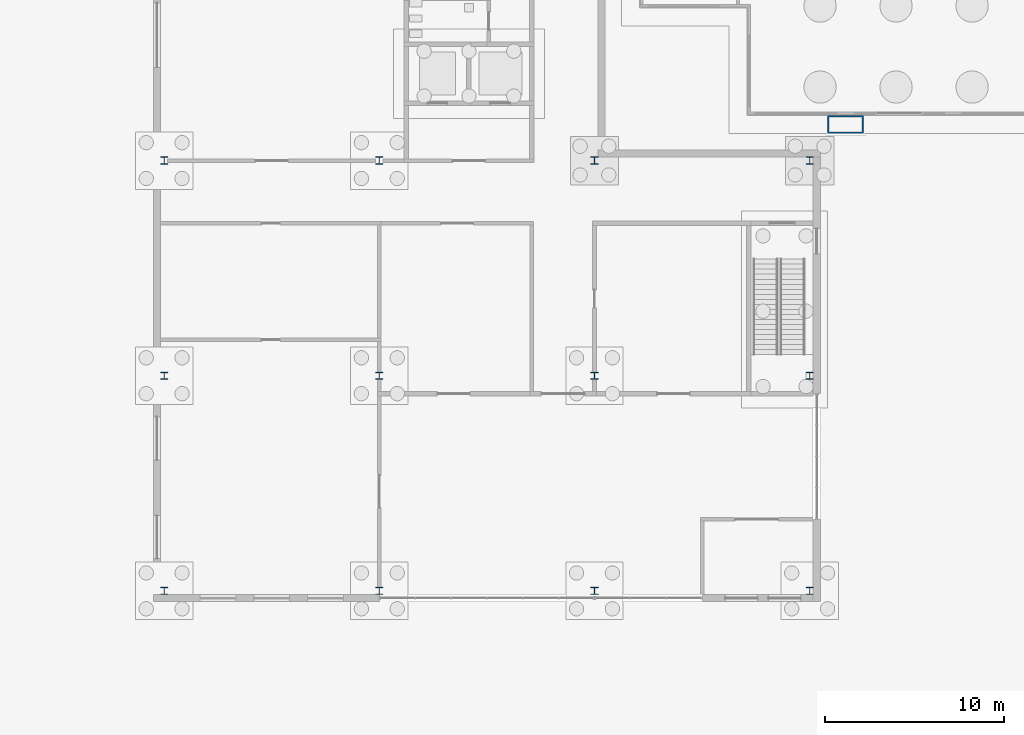
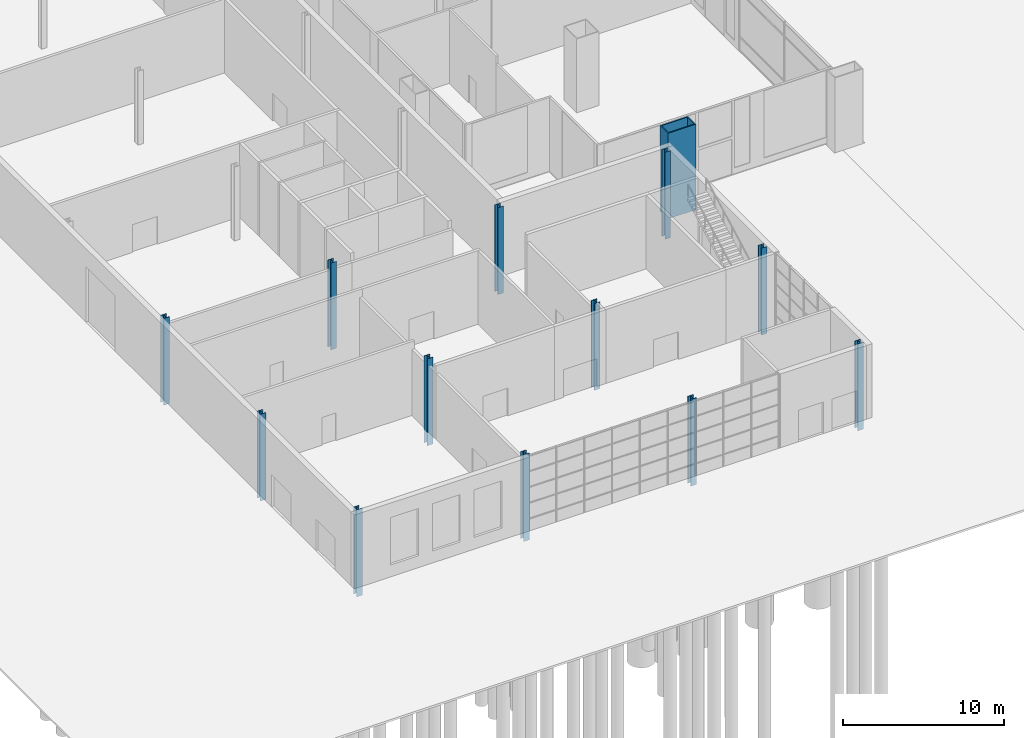
# One storey, part 3 of 29: 13 columns.
"""IFC4 building model written with IfcOpenShell, lengths in metres."""

from ifc_helpers import new_model, si_unit, direction, frame, origin, origin_2d, place, context, subcontext, project, spatial, hollow_rectangle, i_section, extrude, material, material_profile, profile_set, type_object, element, save


model = new_model("IFC4")

# Units and contexts
model_context = context("Model", 3, precision=1e-05, world=origin(), true_north=direction((0.0, 1.0)))
body_context = subcontext(model_context, "Body", "Model", "MODEL_VIEW")
ifc_project = project(units=[si_unit("LENGTHUNIT", "METRE"), si_unit("AREAUNIT", "SQUARE_METRE"), si_unit("VOLUMEUNIT", "CUBIC_METRE"), si_unit("PLANEANGLEUNIT", "RADIAN"), si_unit("MASSUNIT", "GRAM", prefix="KILO")], contexts=[model_context])

# Site, building, storey
site_placement = place(None, origin())
site = spatial("IfcSite", under=ifc_project, at=site_placement, CompositionType="ELEMENT")
building_placement = place(site_placement, origin())
building = spatial("IfcBuilding", under=site, at=building_placement, Name="Kitamizu Gate Tower and Museum", CompositionType="ELEMENT")
storey_placement = place(building_placement, origin())
storey = spatial("IfcBuildingStorey", under=building, at=storey_placement, Name="L00", CompositionType="ELEMENT", Elevation=0.0)

# Columns
ifc_material_1 = material(Name="Steel SS400", Category="steel")
ifc_material_profile_1 = material_profile(ifc_material_1, i_section(OverallWidth=0.39990234375, OverallDepth=0.39990234375, WebThickness=0.012939453125, FlangeThickness=0.02099609375, FilletRadius=0.02197265625, at=origin_2d()), Name="H-400x400x13x21")
ifc_profile_set_1 = profile_set([ifc_material_profile_1], Name="Steel SS400")
column_type_1 = type_object("IfcColumnType", Name="Museum column H 400x400x13x21 R 90", PredefinedType="COLUMN", material=ifc_profile_set_1)
for number, where, z_axis, x_axis, name in (
    (1, (-14.0, -14.0, -1.0), (0.0, 0.0, 1.0), (1.0, 0.0, 0.0), "Column M2MB"),
    (2, (-14.0, -2.0, -1.0), (0.0, 0.0, 1.0), (1.0, 0.0, 0.0), "Column M2MC"),
    (3, (-2.0, -14.0, -1.0), (0.0, 0.0, 1.0), (1.0, 0.0, 0.0), "Column M3MB"),
):
    element("IfcColumn", number, at=place(storey_placement, frame(where, z_axis=z_axis, x_axis=x_axis)), inside=storey, type_object=column_type_1, Name=name, PredefinedType="COLUMN", context=body_context, shape_type="SweptSolid", body=[
        extrude(i_section(OverallWidth=0.39990234375, OverallDepth=0.39990234375, WebThickness=0.012939453125, FlangeThickness=0.02099609375, FilletRadius=0.02197265625, at=origin_2d()), origin(), (0.0, 0.0, 1.0), 6.60009765625),
    ])
ifc_material_2 = material(Name="Steel SS400", Category="steel")
ifc_material_profile_2 = material_profile(ifc_material_2, i_section(OverallWidth=0.39990234375, OverallDepth=0.39990234375, WebThickness=0.012939453125, FlangeThickness=0.02099609375, FilletRadius=0.02197265625, at=origin_2d()), Name="H-400x400x13x21")
ifc_profile_set_2 = profile_set([ifc_material_profile_2], Name="Steel SS400")
column_type_2 = type_object("IfcColumnType", Name="Museum perimeter column H 400x400x13x21 R 90", PredefinedType="COLUMN", material=ifc_profile_set_2)
for number, where, z_axis, x_axis, name in (
    (4, (-26.0, -26.0, -1.0), (0.0, 0.0, 1.0), (1.0, 0.0, 0.0), "Column M1MA"),
    (5, (-26.0, -14.0, -1.0), (0.0, 0.0, 1.0), (1.0, 0.0, 0.0), "Column M1MB"),
    (6, (-26.0, -2.0, -1.0), (0.0, 0.0, 1.0), (1.0, 0.0, 0.0), "Column M1MC"),
    (7, (-14.0, -26.0, -1.0), (0.0, 0.0, 1.0), (1.0, 0.0, 0.0), "Column M2MA"),
    (8, (-2.0, -26.0, -1.0), (0.0, 0.0, 1.0), (1.0, 0.0, 0.0), "Column M3MA"),
    (9, (-2.0, -2.0, -1.0), (0.0, 0.0, 1.0), (1.0, 0.0, 0.0), "Column M3MC"),
    (10, (10.0, -26.0, -1.0), (0.0, 0.0, 1.0), (1.0, 0.0, 0.0), "Column M4MA"),
    (11, (10.0, -14.0, -1.0), (0.0, 0.0, 1.0), (1.0, 0.0, 0.0), "Column M4MB"),
    (12, (10.0, -2.0, -1.0), (0.0, 0.0, 1.0), (1.0, 0.0, 0.0), "Column M4MC"),
):
    element("IfcColumn", number, at=place(storey_placement, frame(where, z_axis=z_axis, x_axis=x_axis)), inside=storey, type_object=column_type_2, Name=name, PredefinedType="COLUMN", context=body_context, shape_type="SweptSolid", body=[
        extrude(i_section(OverallWidth=0.39990234375, OverallDepth=0.39990234375, WebThickness=0.012939453125, FlangeThickness=0.02099609375, FilletRadius=0.02197265625, at=origin_2d()), origin(), (0.0, 0.0, 1.0), 6.60009765625),
    ])
ifc_material_3 = material(Name="Steel SM490A bronze coated", Category="steel")
ifc_material_profile_3 = material_profile(ifc_material_3, hollow_rectangle(XDim=2.0, YDim=1.0, WallThickness=0.080078125, at=origin_2d()), Name="BOX 2000x1000x80")
ifc_profile_set_3 = profile_set([ifc_material_profile_3], Name="Steel SM490A bronze coated")
column_type_3 = type_object("IfcColumnType", Name="Podium leg column LC1 BOX 2000x1000x80", PredefinedType="COLUMN", material=ifc_profile_set_3)
column_placement = place(storey_placement, frame((12.0, 0.0, -0.89990234375), z_axis=(0.0, 0.0, 1.0), x_axis=(1.0, 0.0, 0.0)))
element("IfcColumn", 13, at=column_placement, inside=storey, type_object=column_type_3, Name="Column LC1 2A L00", PredefinedType="COLUMN", context=body_context, shape_type="SweptSolid", body=[
    extrude(hollow_rectangle(XDim=2.0, YDim=1.0, WallThickness=0.080078125, at=origin_2d()), origin(), (0.0, 0.0, 1.0), 6.5),
])

save(model, "model.ifc")
